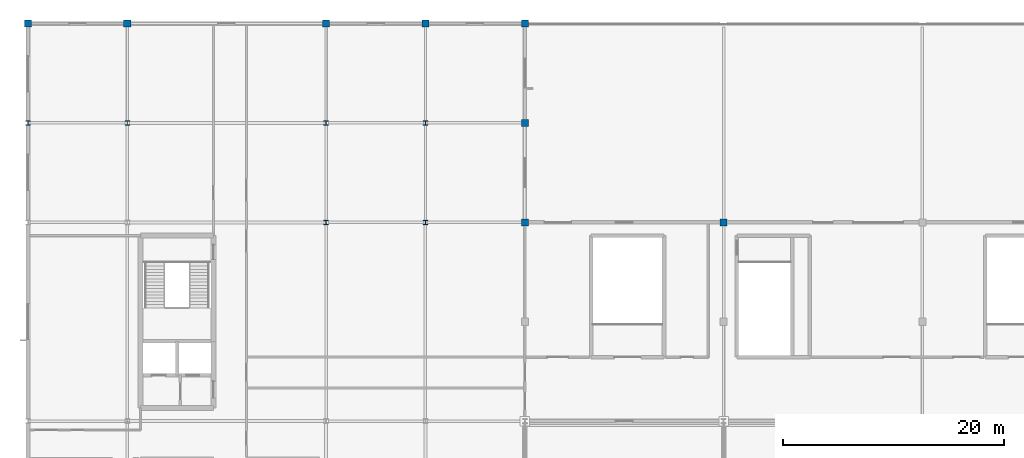
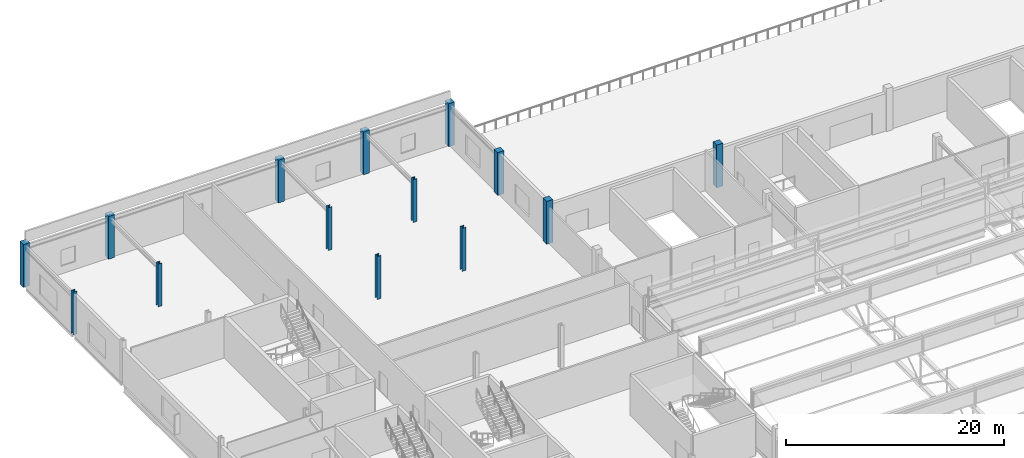
# One storey, part 5 of 136: 14 columns.
"""IFC4 building model written with IfcOpenShell, lengths in metres."""

import ifcopenshell
import ifcopenshell.guid

model = None  # the IFC model being written
_history = None  # IfcOwnerHistory: only IFC2X3 demands one
_inside = {}  # id of a spatial element -> (the spatial element, [elements in it])
_under = {}  # id of a project, library or spatial element -> (it, [spatial elements below it])
_declared = {}  # id of a project -> (the project, [libraries it declares])
_typed = {}  # id of a type object -> (the type object, [elements of that type])
_made_of = {}  # id of a material, layer set ... -> (it, [elements and type objects made of it])


def new_model(schema):
    """Start an empty IFC model of exactly this schema.

    Asked for "IFC4X3", IfcOpenShell would pick the latest addendum, in which some entities
    have other attributes; the version numbers below select the first issue.
    IFC2X3 requires an IfcOwnerHistory on every rooted entity: one is made here for all.
    """
    global model, _history
    if schema == "IFC4X3":
        model = ifcopenshell.file(schema_version=(4, 3, 0, 0))
    else:
        model = ifcopenshell.file(schema=schema)
    _inside.clear()
    _under.clear()
    _declared.clear()
    _typed.clear()
    _made_of.clear()
    _history = None
    if model.schema == "IFC2X3":
        org = make("IfcOrganization", Name="unknown")
        user = make(
            "IfcPersonAndOrganization",
            ThePerson=make("IfcPerson", FamilyName="unknown"),
            TheOrganization=org,
        )
        app = make(
            "IfcApplication",
            ApplicationDeveloper=org,
            Version="unknown",
            ApplicationFullName="unknown",
            ApplicationIdentifier="unknown",
        )
        _history = make(
            "IfcOwnerHistory",
            OwningUser=user,
            OwningApplication=app,
            ChangeAction="ADDED",
            CreationDate=0,
        )
    return model


def make(cls, **values):
    """One entity of the class cls with the attributes given. An attribute that is None is left unset."""
    return model.create_entity(
        cls, **{name: value for name, value in values.items() if value is not None}
    )


def rooted(cls, **values):
    """An entity with a GlobalId (a new one), such as an element, a storey or a relation."""
    return make(cls, GlobalId=ifcopenshell.guid.new(), OwnerHistory=_history, **values)


def si_unit(unit_type, name, prefix=None):
    """IfcSIUnit, for example si_unit("LENGTHUNIT", "METRE", prefix="MILLI")."""
    return make("IfcSIUnit", UnitType=unit_type, Prefix=prefix, Name=name)


def assignment(units):
    """IfcUnitAssignment: the units of a project."""
    return None if units is None else make("IfcUnitAssignment", Units=units)


def point(xyz):
    """IfcCartesianPoint."""
    return None if xyz is None else make("IfcCartesianPoint", Coordinates=xyz)


def direction(xyz):
    """IfcDirection."""
    return None if xyz is None else make("IfcDirection", DirectionRatios=xyz)


def frame(location, z_axis=None, x_axis=None):
    """IfcAxis2Placement3D, a coordinate frame: its origin and axes. An axis left out is left unset."""
    return make(
        "IfcAxis2Placement3D",
        Location=point(location),
        Axis=direction(z_axis),
        RefDirection=direction(x_axis),
    )


def frame_2d(location, x_axis=None):
    """IfcAxis2Placement2D, a coordinate frame in the plane: its origin and x axis."""
    return make(
        "IfcAxis2Placement2D", Location=point(location), RefDirection=direction(x_axis)
    )


def origin():
    """The frame at (0, 0, 0) with its axes left unset."""
    return frame((0.0, 0.0, 0.0))


def origin_2d():
    """The frame at (0, 0) in the plane with its x axis left unset."""
    return frame_2d((0.0, 0.0))


def place(relative_to, where):
    """IfcLocalPlacement: puts the frame where relative to a parent placement (None: the world)."""
    return make(
        "IfcLocalPlacement", PlacementRelTo=relative_to, RelativePlacement=where
    )


def context(
    kind, dimensions, precision=None, world=None, true_north=None, identifier=None
):
    """IfcGeometricRepresentationContext, for example the 3D "Model" context."""
    return make(
        "IfcGeometricRepresentationContext",
        ContextIdentifier=identifier,
        ContextType=kind,
        CoordinateSpaceDimension=dimensions,
        Precision=precision,
        WorldCoordinateSystem=world,
        TrueNorth=true_north,
    )


def subcontext(parent, identifier, kind, view, scale=None):
    """IfcGeometricRepresentationSubContext, for example "Body" below "Model"."""
    return make(
        "IfcGeometricRepresentationSubContext",
        ContextIdentifier=identifier,
        ContextType=kind,
        ParentContext=parent,
        TargetScale=scale,
        TargetView=view,
    )


def project(units=None, contexts=None):
    """IfcProject with its units and contexts."""
    return rooted(
        "IfcProject",
        Name="project",
        RepresentationContexts=contexts,
        UnitsInContext=assignment(units),
    )


def spatial(cls, under=None, at=None, **own):
    """A site, building, storey or space (cls), placed at a placement, below another one or the project."""
    s = rooted(cls, ObjectPlacement=at, **own)
    if under is not None:
        _under.setdefault(under.id(), (under, []))[1].append(s)
    return s


def profile(cls, at=None, kind="AREA", **sizes):
    """A parametric profile (cls). Its sizes go by their IFC names, for example OverallWidth=200.0."""
    return make(cls, ProfileType=kind, Position=at, **sizes)


def rectangle(**sizes):
    """IfcRectangleProfileDef."""
    return profile("IfcRectangleProfileDef", **sizes)


def i_section(**sizes):
    """IfcIShapeProfileDef."""
    return profile("IfcIShapeProfileDef", **sizes)


def extrude(swept, where, along, depth):
    """IfcExtrudedAreaSolid: the profile swept, set in the frame where, extruded along a direction by depth."""
    return make(
        "IfcExtrudedAreaSolid",
        SweptArea=swept,
        Position=where,
        ExtrudedDirection=direction(along),
        Depth=depth,
    )


def shape(context_of_items, identifier, shape_type, items):
    """IfcShapeRepresentation: the items that make up one representation, for example the "Body"."""
    return make(
        "IfcShapeRepresentation",
        ContextOfItems=context_of_items,
        RepresentationIdentifier=identifier,
        RepresentationType=shape_type,
        Items=items,
    )


def material(Name=None, Category=None):
    """IfcMaterial."""
    return make("IfcMaterial", Name=Name, Category=Category)


def material_profile(
    of_material, cross_section, Name=None, Category=None, Priority=None
):
    """IfcMaterialProfile: a cross section and its material."""
    return make(
        "IfcMaterialProfile",
        Name=Name,
        Material=of_material,
        Profile=cross_section,
        Priority=Priority,
        Category=Category,
    )


def profile_set(profiles, Name=None, composite=None):
    """IfcMaterialProfileSet."""
    return make(
        "IfcMaterialProfileSet",
        Name=Name,
        MaterialProfiles=profiles,
        CompositeProfile=composite,
    )


def made_of(thing, what):
    """Note that an element or type object is made of a material, layer set ...; save() writes the relation."""
    if what is not None:
        _made_of.setdefault(what.id(), (what, []))[1].append(thing)
    return thing


def type_object(cls, material=None, **own):
    """A type object (cls), such as IfcWallType, which elements share."""
    return made_of(rooted(cls, **own), material)


def element(
    cls,
    number,
    at=None,
    inside=None,
    cuts=None,
    type_object=None,
    material=None,
    context=None,
    identifier="Body",
    shape_type=None,
    held_by="IfcProductDefinitionShape",
    body=None,
    shapes=None,
    **own,
):
    """One element of the class cls, such as IfcWall. Its Tag is "e" and its number.

    at: its placement. inside: the storey or other place that contains it. cuts: it is an
    opening in that element (IfcRelVoidsElement). A single representation is given by context,
    identifier, shape_type and body (its items); several are given by shapes. held_by: the class
    of the entity that holds the representations. save() writes the other relations.
    """
    e = rooted(cls, Tag="e%d" % number, ObjectPlacement=at, **own)
    if body is not None:
        shapes = [shape(context, identifier, shape_type, body)]
    if shapes is not None:
        e.Representation = make(held_by, Representations=shapes)
    if inside is not None:
        _inside.setdefault(inside.id(), (inside, []))[1].append(e)
    if cuts is not None:
        rooted(
            "IfcRelVoidsElement", RelatingBuildingElement=cuts, RelatedOpeningElement=e
        )
    if type_object is not None:
        _typed.setdefault(type_object.id(), (type_object, []))[1].append(e)
    return made_of(e, material)


def aggregate(whole, parts):
    """IfcRelAggregates: a whole, such as a stair, and the parts it consists of."""
    return rooted("IfcRelAggregates", RelatingObject=whole, RelatedObjects=parts)


def save(model, path):
    """Write the relations noted so far, then the file.

    IfcRelAggregates (storeys below a building ...), IfcRelContainedInSpatialStructure (elements
    in a storey), IfcRelDefinesByType, IfcRelAssociatesMaterial and IfcRelDeclares: one each for
    every whole, place, type object, material and project.
    """
    for whole, parts in _under.values():
        aggregate(whole, parts)
    for where, things in _inside.values():
        rooted(
            "IfcRelContainedInSpatialStructure",
            RelatedElements=things,
            RelatingStructure=where,
        )
    for kind, things in _typed.values():
        rooted("IfcRelDefinesByType", RelatedObjects=things, RelatingType=kind)
    for what, things in _made_of.values():
        rooted("IfcRelAssociatesMaterial", RelatedObjects=things, RelatingMaterial=what)
    for by, libraries in _declared.values():
        rooted("IfcRelDeclares", RelatingContext=by, RelatedDefinitions=libraries)
    model.write(path)


model = new_model("IFC4")

# Units and contexts
model_context = context("Model", 3, precision=1e-05, world=origin(), true_north=direction((0.0, 1.0)))
body_context = subcontext(model_context, "Body", "Model", "MODEL_VIEW")
ifc_project = project(units=[si_unit("LENGTHUNIT", "METRE"), si_unit("AREAUNIT", "SQUARE_METRE"), si_unit("VOLUMEUNIT", "CUBIC_METRE"), si_unit("PLANEANGLEUNIT", "RADIAN"), si_unit("MASSUNIT", "GRAM", prefix="KILO")], contexts=[model_context])

# Site, building, storey
site_placement = place(None, origin())
site = spatial("IfcSite", under=ifc_project, at=site_placement, CompositionType="ELEMENT")
building_placement = place(site_placement, origin())
building = spatial("IfcBuilding", under=site, at=building_placement, Name="Kisiwana Market Hall", CompositionType="ELEMENT")
storey_placement = place(building_placement, frame((0.0, 0.0, 16.800048828125)))
storey = spatial("IfcBuildingStorey", under=building, at=storey_placement, Name="L03", CompositionType="ELEMENT", Elevation=16.800048828125)

# Columns
ifc_material_1 = material(Name="Concrete C40/50", Category="concrete")
ifc_material_profile_1 = material_profile(ifc_material_1, rectangle(XDim=0.64990234375, YDim=0.64990234375, at=origin_2d()), Name="RC 650x650")
ifc_profile_set_1 = profile_set([ifc_material_profile_1], Name="Concrete C40/50")
column_type_1 = type_object("IfcColumnType", Name="COL-RC-POD-650", PredefinedType="COLUMN", material=ifc_profile_set_1)
for number, where, z_axis, x_axis, name in (
    (1, (0.0, 120.0, 0.0), (0.0, 0.0, 1.0), (1.0, 0.0, 0.0), "Column Q/1 (L03) C-0668"),
    (2, (9.0, 120.0, 0.0), (0.0, 0.0, 1.0), (1.0, 0.0, 0.0), "Column Q/2 (L03) C-0676"),
    (3, (27.0, 120.0, 0.0), (0.0, 0.0, 1.0), (1.0, 0.0, 0.0), "Column Q/4 (L03) C-0685"),
    (4, (36.0, 120.0, 0.0), (0.0, 0.0, 1.0), (1.0, 0.0, 0.0), "Column Q/5 (L03) C-0693"),
    (5, (45.0, 102.0, 0.0), (0.0, 0.0, 1.0), (1.0, 0.0, 0.0), "Column N/6 (L03) C-0702"),
    (6, (45.0, 111.0, 0.0), (0.0, 0.0, 1.0), (1.0, 0.0, 0.0), "Column P/6 (L03) C-0703"),
    (7, (45.0, 120.0, 0.0), (0.0, 0.0, 1.0), (1.0, 0.0, 0.0), "Column Q/6 (L03) C-0704"),
    (8, (63.0, 102.0, 0.0), (0.0, 0.0, 1.0), (1.0, 0.0, 0.0), "Column N/8 (L03) C-0710"),
):
    element("IfcColumn", number, at=place(storey_placement, frame(where, z_axis=z_axis, x_axis=x_axis)), inside=storey, type_object=column_type_1, Name=name, PredefinedType="COLUMN", context=body_context, shape_type="SweptSolid", body=[
        extrude(rectangle(XDim=0.64990234375, YDim=0.64990234375, at=origin_2d()), origin(), (0.0, 0.0, 1.0), 4.800048828125),
    ])
ifc_material_2 = material(Name="Steel S355", Category="steel")
ifc_material_profile_2 = material_profile(ifc_material_2, i_section(OverallWidth=0.406005859375, OverallDepth=0.416015625, WebThickness=0.02978515625, FlangeThickness=0.048095703125, at=origin_2d()), Name="HD 400x382")
ifc_profile_set_2 = profile_set([ifc_material_profile_2], Name="Steel S355")
column_type_2 = type_object("IfcColumnType", Name="COL-STL-HD382", PredefinedType="COLUMN", material=ifc_profile_set_2)
for number, where, z_axis, x_axis, name in (
    (9, (27.0, 102.0, 0.0), (0.0, 0.0, 1.0), (1.0, 0.0, 0.0), "Column N/4 (L03) C-0683"),
    (10, (36.0, 102.0, 0.0), (0.0, 0.0, 1.0), (1.0, 0.0, 0.0), "Column N/5 (L03) C-0691"),
):
    element("IfcColumn", number, at=place(storey_placement, frame(where, z_axis=z_axis, x_axis=x_axis)), inside=storey, type_object=column_type_2, Name=name, PredefinedType="COLUMN", context=body_context, shape_type="SweptSolid", body=[
        extrude(i_section(OverallWidth=0.406005859375, OverallDepth=0.416015625, WebThickness=0.02978515625, FlangeThickness=0.048095703125, at=origin_2d()), origin(), (0.0, 0.0, 1.0), 4.800048828125),
    ])
ifc_material_3 = material(Name="Steel S355", Category="steel")
ifc_material_profile_3 = material_profile(ifc_material_3, i_section(OverallWidth=0.39892578125, OverallDepth=0.3935546875, WebThickness=0.022705078125, FlangeThickness=0.03662109375, at=origin_2d()), Name="UC 356x406x287")
ifc_profile_set_3 = profile_set([ifc_material_profile_3], Name="Steel S355")
column_type_3 = type_object("IfcColumnType", Name="COL-STL-UC287", PredefinedType="COLUMN", material=ifc_profile_set_3)
for number, where, z_axis, x_axis, name in (
    (11, (0.0, 111.0, 0.0), (0.0, 0.0, 1.0), (1.0, 0.0, 0.0), "Column P/1 (L03) C-0667"),
    (12, (9.0, 111.0, 0.0), (0.0, 0.0, 1.0), (1.0, 0.0, 0.0), "Column P/2 (L03) C-0675"),
    (13, (27.0, 111.0, 0.0), (0.0, 0.0, 1.0), (1.0, 0.0, 0.0), "Column P/4 (L03) C-0684"),
    (14, (36.0, 111.0, 0.0), (0.0, 0.0, 1.0), (1.0, 0.0, 0.0), "Column P/5 (L03) C-0692"),
):
    element("IfcColumn", number, at=place(storey_placement, frame(where, z_axis=z_axis, x_axis=x_axis)), inside=storey, type_object=column_type_3, Name=name, PredefinedType="COLUMN", context=body_context, shape_type="SweptSolid", body=[
        extrude(i_section(OverallWidth=0.39892578125, OverallDepth=0.3935546875, WebThickness=0.022705078125, FlangeThickness=0.03662109375, at=origin_2d()), origin(), (0.0, 0.0, 1.0), 4.800048828125),
    ])

save(model, "model.ifc")
